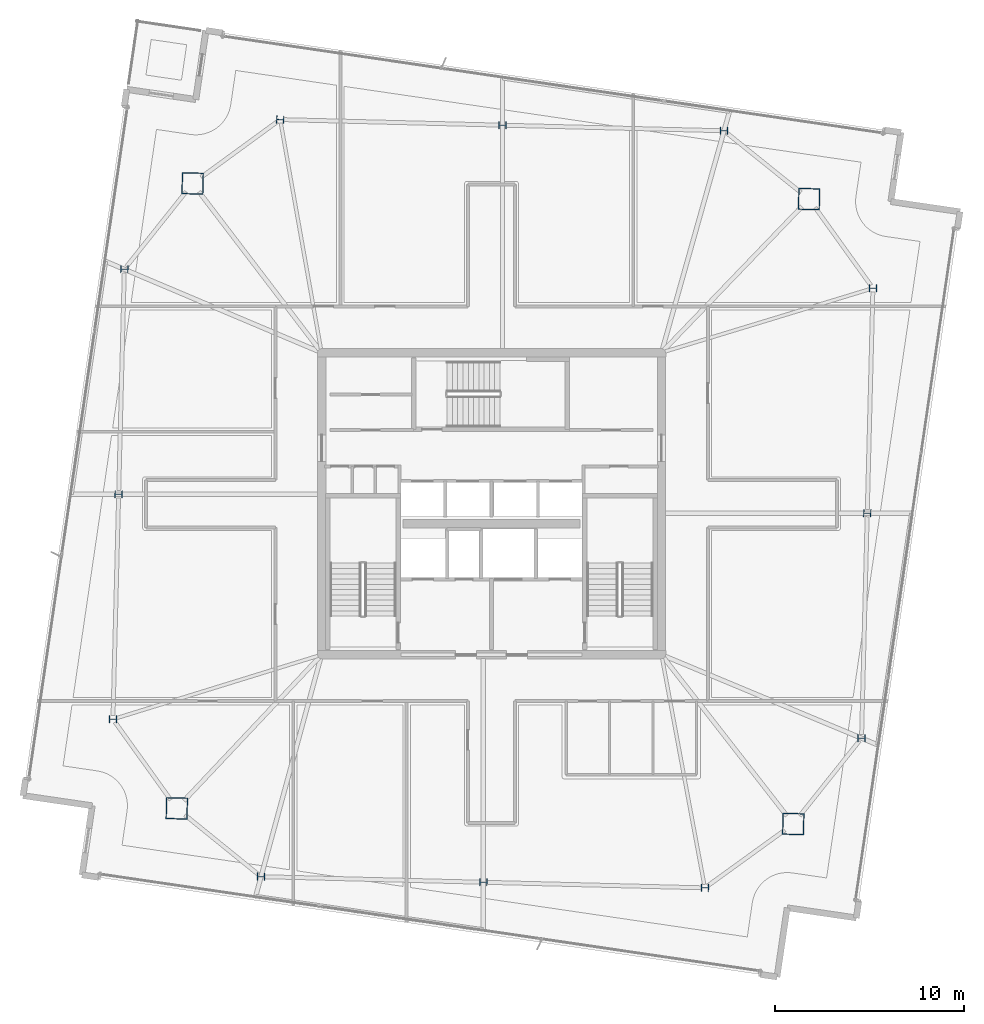
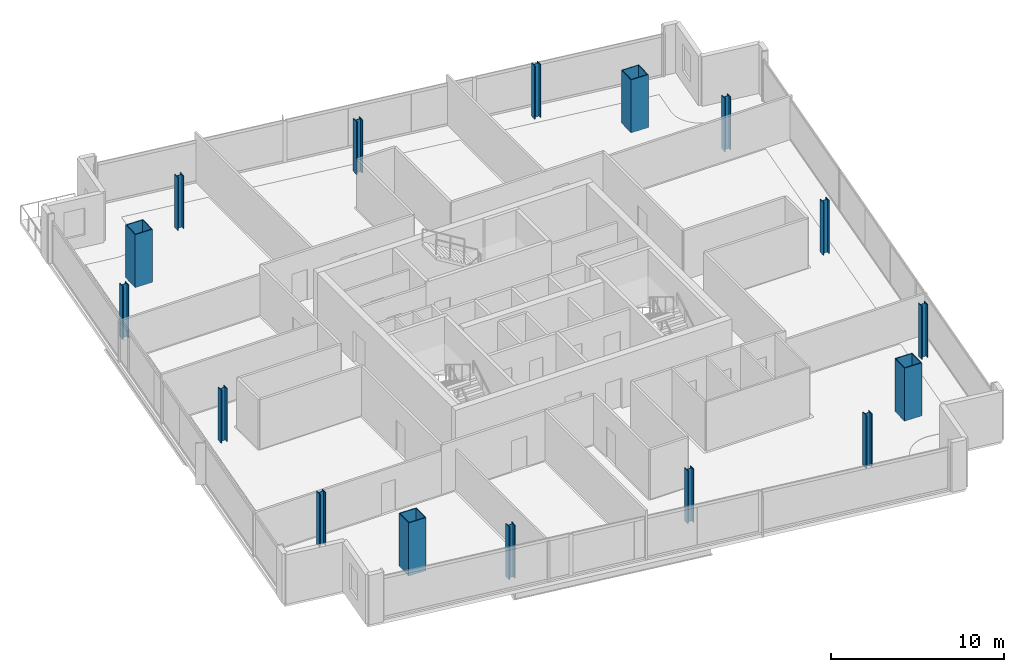
# One storey, part 1 of 22: 16 columns.
"""IFC4 building model written with IfcOpenShell, lengths in metres."""

from ifc_helpers import new_model, si_unit, direction, frame, origin, origin_2d, place, context, subcontext, project, spatial, hollow_rectangle, i_section, extrude, material, material_profile, profile_set, type_object, element, save


model = new_model("IFC4")

# Units and contexts
model_context = context("Model", 3, precision=1e-05, world=origin(), true_north=direction((0.0, 1.0)))
body_context = subcontext(model_context, "Body", "Model", "MODEL_VIEW")
ifc_project = project(units=[si_unit("LENGTHUNIT", "METRE"), si_unit("AREAUNIT", "SQUARE_METRE"), si_unit("VOLUMEUNIT", "CUBIC_METRE"), si_unit("PLANEANGLEUNIT", "RADIAN"), si_unit("MASSUNIT", "GRAM", prefix="KILO")], contexts=[model_context])

# Site, building, storey
site_placement = place(None, origin())
site = spatial("IfcSite", under=ifc_project, at=site_placement, CompositionType="ELEMENT")
building_placement = place(site_placement, origin())
building = spatial("IfcBuilding", under=site, at=building_placement, Name="Haldenkirk Collegiate Tower", CompositionType="ELEMENT")
storey_placement = place(building_placement, frame((0.0, 0.0, 302.699951171875)))
storey = spatial("IfcBuildingStorey", under=building, at=storey_placement, Name="L76", CompositionType="ELEMENT", Elevation=302.699951171875)

# Columns
ifc_material_1 = material(Name="Steel ASTM A913 Grade 65", Category="steel")
ifc_material_profile_1 = material_profile(ifc_material_1, i_section(OverallWidth=0.406005859375, OverallDepth=0.416015625, WebThickness=0.02978515625, FlangeThickness=0.048095703125, at=origin_2d()), Name="W14X257")
ifc_profile_set_1 = profile_set([ifc_material_profile_1], Name="Steel ASTM A913 Grade 65")
column_type_1 = type_object("IfcColumnType", Name="COL-INT-W14X257", PredefinedType="COLUMN", material=ifc_profile_set_1)
for number, where, z_axis, x_axis, name in (
    (1, (55.592041015625, 13.584228515625, 0.0), (0.0, 0.0, 1.0), (0.025304572866, 0.999679788028, 0.0), "L76 perimeter gravity column PC-S1"),
    (2, (55.8935546875, 25.496337890625, 0.0), (0.0, 0.0, 1.0), (0.025304572866, 0.999679788028, 0.0), "L76 perimeter gravity column PC-S2"),
    (3, (56.1953125, 37.40869140625, 0.0), (0.0, 0.0, 1.0), (0.025304572866, 0.999679788028, 0.0), "L76 perimeter gravity column PC-S3"),
    (4, (48.3115234375, 45.744873046875, 0.0), (0.0, 0.0, 1.0), (0.025304572866, 0.999679788028, 0.0), "L76 perimeter gravity column PC-E1"),
    (5, (36.582275390625, 46.041748046875, 0.0), (0.0, 0.0, 1.0), (0.025304572866, 0.999679788028, 0.0), "L76 perimeter gravity column PC-E2"),
    (6, (24.81103515625, 46.339599609375, 0.0), (0.0, 0.0, 1.0), (0.025304572866, 0.999679788028, 0.0), "L76 perimeter gravity column PC-E3"),
    (7, (16.557861328125, 38.411865234375, 0.0), (0.0, 0.0, 1.0), (0.025304572866, 0.999679788028, 0.0), "L76 perimeter gravity column PC-N1"),
    (8, (16.25634765625, 26.499755859375, 0.0), (0.0, 0.0, 1.0), (0.025304572866, 0.999679788028, 0.0), "L76 perimeter gravity column PC-N2"),
    (9, (15.954833984375, 14.587646484375, 0.0), (0.0, 0.0, 1.0), (0.025304572866, 0.999679788028, 0.0), "L76 perimeter gravity column PC-N3"),
    (10, (23.79638671875, 6.25244140625, 0.0), (0.0, 0.0, 1.0), (0.025304572866, 0.999679788028, 0.0), "L76 perimeter gravity column PC-W1"),
    (11, (35.567626953125, 5.95458984375, 0.0), (0.0, 0.0, 1.0), (0.025304572866, 0.999679788028, 0.0), "L76 perimeter gravity column PC-W2"),
    (12, (47.296875, 5.65771484375, 0.0), (0.0, 0.0, 1.0), (0.025304572866, 0.999679788028, 0.0), "L76 perimeter gravity column PC-W3"),
):
    element("IfcColumn", number, at=place(storey_placement, frame(where, z_axis=z_axis, x_axis=x_axis)), inside=storey, type_object=column_type_1, Name=name, PredefinedType="COLUMN", context=body_context, shape_type="SweptSolid", body=[
        extrude(i_section(OverallWidth=0.406005859375, OverallDepth=0.416015625, WebThickness=0.02978515625, FlangeThickness=0.048095703125, at=origin_2d()), origin(), (0.0, 0.0, 1.0), 3.75),
    ])
ifc_material_2 = material(Name="Steel ASTM A572 Grade 50", Category="steel")
ifc_material_profile_2 = material_profile(ifc_material_2, hollow_rectangle(XDim=1.14990234375, YDim=1.14990234375, WallThickness=0.050048828125, at=origin_2d()), Name="BOX1150X1150X50")
ifc_profile_set_2 = profile_set([ifc_material_profile_2], Name="Steel ASTM A572 Grade 50")
column_type_2 = type_object("IfcColumnType", Name="COL-MEGA-BOX1150X1150X50", PredefinedType="COLUMN", material=ifc_profile_set_2)
for number, where, z_axis, x_axis, name in (
    (13, (51.97607421875, 9.040283203125, 0.0), (0.0, 0.0, 1.0), (0.025304572866, 0.999679788028, 0.0), "L76 corner mega-column MC1"),
    (14, (52.8134765625, 42.129638671875, 0.0), (0.0, 0.0, 1.0), (0.025304572866, 0.999679788028, 0.0), "L76 corner mega-column MC2"),
    (15, (20.174072265625, 42.955810546875, 0.0), (0.0, 0.0, 1.0), (0.025304572866, 0.999679788028, 0.0), "L76 corner mega-column MC3"),
    (16, (19.33642578125, 9.866455078125, 0.0), (0.0, 0.0, 1.0), (0.025304572866, 0.999679788028, 0.0), "L76 corner mega-column MC4"),
):
    element("IfcColumn", number, at=place(storey_placement, frame(where, z_axis=z_axis, x_axis=x_axis)), inside=storey, type_object=column_type_2, Name=name, PredefinedType="COLUMN", context=body_context, shape_type="SweptSolid", body=[
        extrude(hollow_rectangle(XDim=1.14990234375, YDim=1.14990234375, WallThickness=0.050048828125, at=origin_2d()), origin(), (0.0, 0.0, 1.0), 3.75),
    ])

save(model, "model.ifc")
